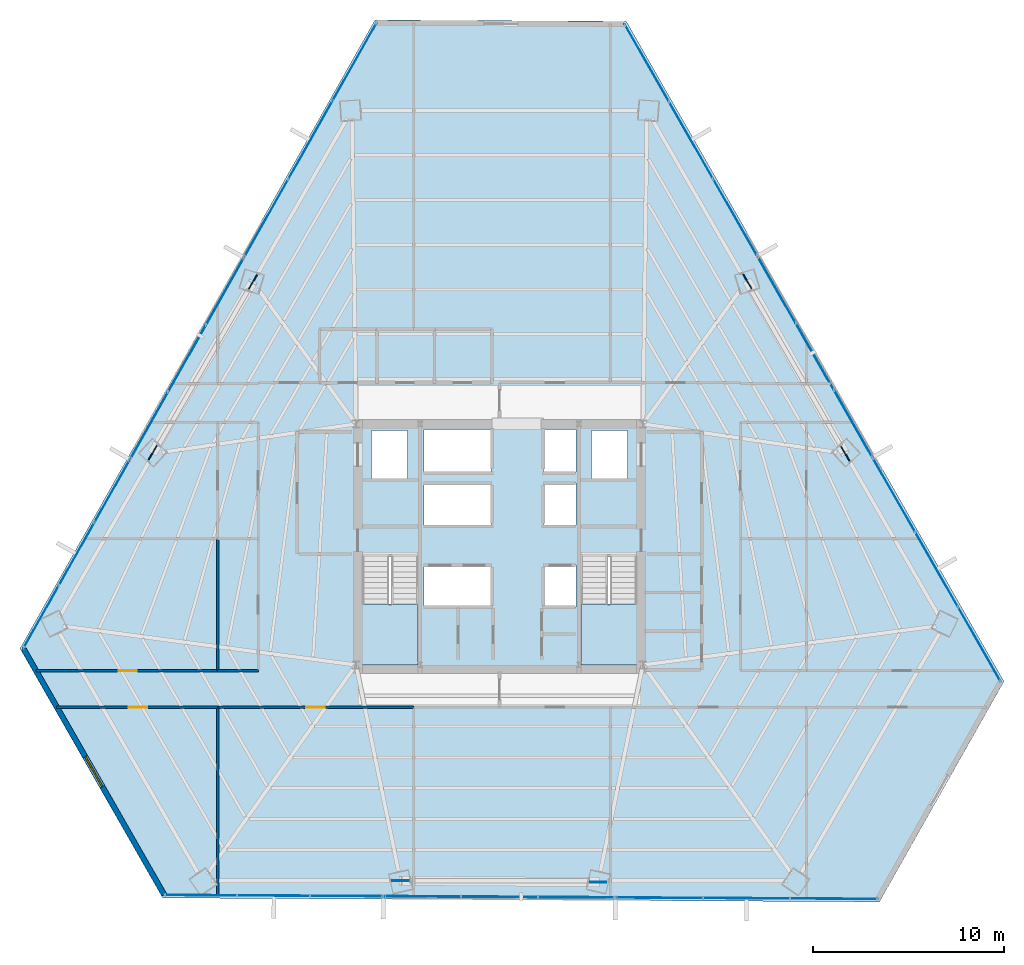
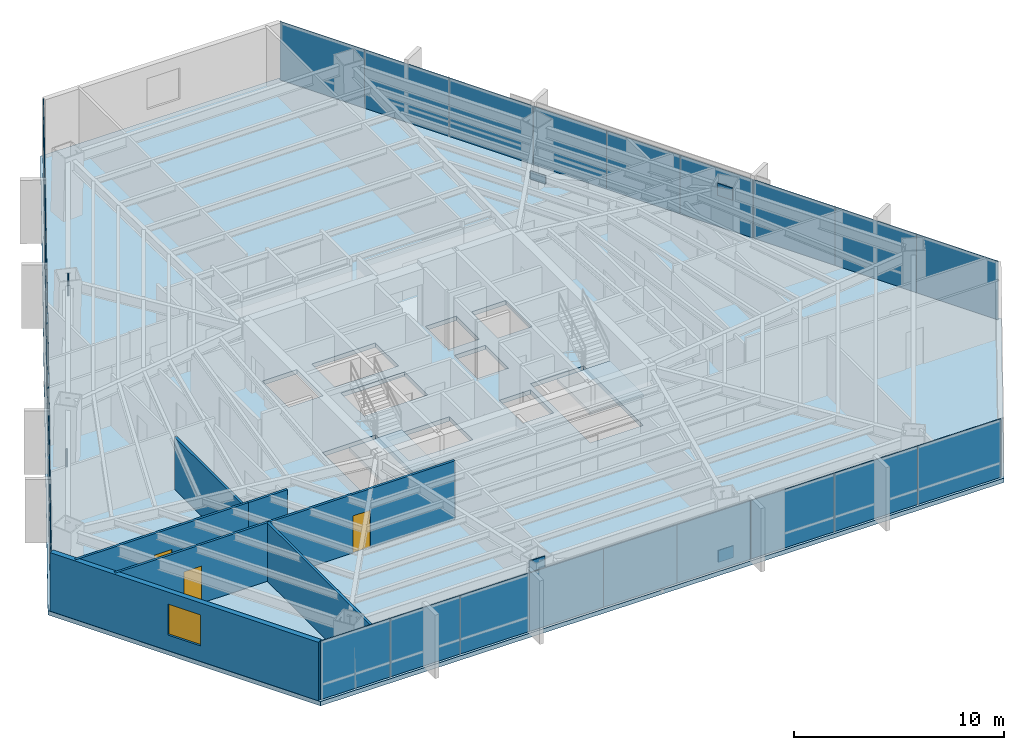
# One storey, part 29 of 35: 33 plates, 7 walls, 3 doors, 3 slabs, 1 window, 4 openings, 11 elements without a shape of their own.
"""IFC4 building model written with IfcOpenShell, lengths in metres."""

from ifc_helpers import new_model, si_unit, direction, frame, frame_2d, origin, origin_2d, place, context, subcontext, project, spatial, polyline, rectangle, outline, extrude, source, transform, mapped, material, layer, layer_set, type_object, type_shapes, element, fill, aggregate, save


model = new_model("IFC4")

# Units and contexts
model_context = context("Model", 3, precision=1e-05, world=origin(), true_north=direction((0.0, 1.0)))
body_context = subcontext(model_context, "Body", "Model", "MODEL_VIEW")
ifc_project = project(units=[si_unit("LENGTHUNIT", "METRE"), si_unit("AREAUNIT", "SQUARE_METRE"), si_unit("VOLUMEUNIT", "CUBIC_METRE"), si_unit("PLANEANGLEUNIT", "RADIAN"), si_unit("MASSUNIT", "GRAM", prefix="KILO")], contexts=[model_context])

# Site, building, storey
site_placement = place(None, origin())
site = spatial("IfcSite", under=ifc_project, at=site_placement, CompositionType="ELEMENT")
building_placement = place(site_placement, origin())
building = spatial("IfcBuilding", under=site, at=building_placement, Name="Caelisora Broadcast Tower", CompositionType="ELEMENT")
storey_placement = place(building_placement, frame((0.0, 0.0, 90.800048828125)))
storey = spatial("IfcBuildingStorey", under=building, at=storey_placement, Name="L23", CompositionType="ELEMENT", Elevation=90.800048828125)

# Slab
ifc_material_1 = material(Name="Concrete 40 MPa (AS 3600 N40)", Category="concrete")
ifc_layer_1 = layer(ifc_material_1, 0.25, Name="Concrete 40 MPa (AS 3600 N40)")
ifc_layer_set_1 = layer_set([ifc_layer_1], Name="Concrete 40 MPa (AS 3600 N40)")
slab_type_1 = type_object("IfcSlabType", Name="SL04", PredefinedType="FLOOR", material=ifc_layer_set_1)
slab_1_placement = place(storey_placement, frame((0.0, 0.0, -0.25)))
element("IfcSlab", 1, at=slab_1_placement, inside=storey, type_object=slab_type_1, Name="L23 suspended floor SL04", PredefinedType="FLOOR", context=body_context, shape_type="SweptSolid", body=[
    extrude(outline(polyline([(44.635009765625, 51.0458984375), (31.489990234375, 51.117919921875), (12.93310546875, 18.260986328125), (20.39306640625, 5.220947265625), (57.864990234375, 5.013916015625), (64.375, 16.5400390625), (44.635009765625, 51.0458984375)]), holes=[polyline([(30.820068359375, 17.39990234375), (33.739990234375, 17.39990234375), (33.739990234375, 23.080078125), (30.820068359375, 23.080078125), (30.820068359375, 17.39990234375)]), polyline([(42.260009765625, 17.39990234375), (45.179931640625, 17.39990234375), (45.179931640625, 23.080078125), (42.260009765625, 23.080078125), (42.260009765625, 17.39990234375)]), polyline([(42.800048828125, 27.14990234375), (44.699951171875, 27.14990234375), (44.699951171875, 29.64990234375), (42.800048828125, 29.64990234375), (42.800048828125, 27.14990234375)]), polyline([(40.300048828125, 20.429931640625), (42.0, 20.429931640625), (42.0, 22.6298828125), (40.300048828125, 22.6298828125), (40.300048828125, 20.429931640625)]), polyline([(40.300048828125, 24.719970703125), (42.0, 24.719970703125), (42.0, 26.919921875), (40.300048828125, 26.919921875), (40.300048828125, 24.719970703125)]), polyline([(40.300048828125, 27.5), (42.0, 27.5), (42.0, 29.699951171875), (40.300048828125, 29.699951171875), (40.300048828125, 27.5)]), polyline([(34.050048828125, 20.429931640625), (37.550048828125, 20.429931640625), (37.550048828125, 22.6298828125), (34.050048828125, 22.6298828125), (34.050048828125, 20.429931640625)]), polyline([(34.050048828125, 24.719970703125), (37.550048828125, 24.719970703125), (37.550048828125, 26.919921875), (34.050048828125, 26.919921875), (34.050048828125, 24.719970703125)]), polyline([(34.050048828125, 27.5), (37.550048828125, 27.5), (37.550048828125, 29.699951171875), (34.050048828125, 29.699951171875), (34.050048828125, 27.5)]), polyline([(31.300048828125, 27.14990234375), (33.199951171875, 27.14990234375), (33.199951171875, 29.64990234375), (31.300048828125, 29.64990234375), (31.300048828125, 27.14990234375)])]), origin(), (0.0, 0.0, 1.0), 0.25),
])

# Stair, slab
stair_type_1 = type_object("IfcStairType", Name="ST-1", PredefinedType="HALF_TURN_STAIR", material=ifc_material_1)
stair_1_placement = place(storey_placement, origin())
stair_1 = element("IfcStair", 2, at=stair_1_placement, inside=storey, type_object=stair_type_1, Name="L23 West Fire-Isolated Tower Stair", PredefinedType="HALF_TURN_STAIR")
ifc_layer_2 = layer(ifc_material_1, 0.199951171875, Name="Concrete 40 MPa (AS 3600 N40)")
ifc_layer_set_2 = layer_set([ifc_layer_2], Name="Concrete 40 MPa (AS 3600 N40)")
slab_type_2 = type_object("IfcSlabType", Name="STL-1", PredefinedType="LANDING", material=ifc_layer_set_2)
slab_2_placement = place(storey_placement, frame((0.0, 0.0, 1.625)))
slab_2 = element("IfcSlab", 3, at=slab_2_placement, type_object=slab_type_2, Name="ST-1 landing 1", PredefinedType="LANDING", context=body_context, shape_type="SweptSolid", body=[
    extrude(outline(polyline([(30.820068359375, 20.580078125), (30.820068359375, 17.39990234375), (33.739990234375, 17.39990234375), (33.739990234375, 20.580078125), (30.820068359375, 20.580078125)])), origin(), (0.0, 0.0, 1.0), 0.199951171875),
])
aggregate(stair_1, [slab_2])

stair_type_2 = type_object("IfcStairType", Name="ST-2", PredefinedType="HALF_TURN_STAIR", material=ifc_material_1)
stair_2_placement = place(storey_placement, origin())
stair_2 = element("IfcStair", 4, at=stair_2_placement, inside=storey, type_object=stair_type_2, Name="L23 East Fire-Isolated Tower Stair", PredefinedType="HALF_TURN_STAIR")
slab_3_placement = place(storey_placement, frame((0.0, 0.0, 1.625)))
slab_3 = element("IfcSlab", 5, at=slab_3_placement, type_object=slab_type_2, Name="ST-2 landing 1", PredefinedType="LANDING", context=body_context, shape_type="SweptSolid", body=[
    extrude(outline(polyline([(42.260009765625, 20.580078125), (42.260009765625, 17.39990234375), (45.179931640625, 17.39990234375), (45.179931640625, 20.580078125), (42.260009765625, 20.580078125)])), origin(), (0.0, 0.0, 1.0), 0.199951171875),
])
aggregate(stair_2, [slab_3])

# Plates
ifc_material_2 = material(Name="Steel Grade 350 L15 (AS/NZS 3678)", Category="steel")
ifc_layer_3 = layer(ifc_material_2, 0.050048828125, Name="Steel Grade 350 L15 (AS/NZS 3678)")
ifc_layer_set_3 = layer_set([ifc_layer_3], Name="Steel Grade 350 L15 (AS/NZS 3678)")
plate_type_1 = type_object("IfcPlateType", Name="GP03", PredefinedType="USERDEFINED", material=ifc_layer_set_3)
shared_shape_1 = source(origin(), body_context, "Body", "SweptSolid", [
    extrude(rectangle(XDim=0.85009765625, YDim=0.050048828125, at=origin_2d()), origin(), (0.0, 0.0, 1.0), 0.699951171875),
])
type_shapes(plate_type_1, [shared_shape_1])
for number, where, z_axis, x_axis, name in (
    (6, (25.10791015625, 37.421875, 2.72998046875), (0.0, 0.0, 1.0), (-0.5, -0.866025403784, 0.0), "L23 gusset plate GP03 (ND-L23-C02T)"),
    (7, (19.875732421875, 28.50439453125, -0.22998046875), (0.0, 0.0, 1.0), (-0.5, -0.866025403784, 0.0), "L23 gusset plate GP03 (ND-L23-C03B)"),
    (8, (32.822509765625, 6.1240234375, 2.72998046875), (0.0, 0.0, 1.0), (1.0, 0.0, 0.0), "L23 gusset plate GP03 (ND-L23-C06T)"),
    (9, (43.1611328125, 6.0517578125, -0.22998046875), (0.0, 0.0, 1.0), (1.0, 0.0, 0.0), "L23 gusset plate GP03 (ND-L23-C07B)"),
    (10, (56.069580078125, 28.4541015625, 2.72998046875), (0.0, 0.0, 1.0), (-0.5, 0.866025403784, 0.0), "L23 gusset plate GP03 (ND-L23-C10T)"),
    (11, (50.962890625, 37.44384765625, -0.22998046875), (0.0, 0.0, 1.0), (-0.5, 0.866025403784, 0.0), "L23 gusset plate GP03 (ND-L23-C11B)"),
):
    element("IfcPlate", number, at=place(storey_placement, frame(where, z_axis=z_axis, x_axis=x_axis)), inside=storey, type_object=plate_type_1, Name=name, ObjectType="GUSSET PLATE", PredefinedType="USERDEFINED", context=body_context, shape_type="MappedRepresentation", body=[
        mapped(shared_shape_1, transform((0.0, 0.0, 0.0), scale=1.0)),
    ])

# Curtain wall, plates
ifc_material_3 = material(Name="Unitised Aluminium and Low-E Glass Curtain Wall", Category="glass")
curtain_wall_type_1 = type_object("IfcCurtainWallType", Name="CW-Z2", PredefinedType="NOTDEFINED", material=ifc_material_3)
curtain_wall_1_placement = place(storey_placement, origin())
curtain_wall_1 = element("IfcCurtainWall", 12, at=curtain_wall_1_placement, inside=storey, type_object=curtain_wall_type_1, Name="L23 curtain wall CW-Z2", PredefinedType="NOTDEFINED")
ifc_material_4 = material(Name="Double Glazed Low-E Argon IGU", Category="glass")
ifc_layer_4 = layer(ifc_material_4, 0.033935546875, Name="Double Glazed Low-E Argon IGU")
ifc_layer_set_4 = layer_set([ifc_layer_4], Name="Double Glazed Low-E Argon IGU")
plate_type_2 = type_object("IfcPlateType", Name="CWP-03", PredefinedType="CURTAIN_PANEL", material=ifc_layer_set_4)
shared_shape_2 = source(origin(), body_context, "Body", "SweptSolid", [
    extrude(rectangle(XDim=4.65234375, YDim=0.033935546875, at=origin_2d()), origin(), (0.0, 0.0, 1.0), 3.39990234375),
])
plate_1_placement = place(storey_placement, frame((45.703125, 48.876953125, 0.0), z_axis=(0.0, 0.0, 1.0), x_axis=(0.496519531995, -0.868025549363, 0.0)))
plate_1 = element("IfcPlate", 13, at=plate_1_placement, type_object=plate_type_2, Name="L23-CW-B01 glazed panel #1", PredefinedType="CURTAIN_PANEL", context=body_context, shape_type="MappedRepresentation", body=[
    mapped(shared_shape_2, transform((0.0, 0.0, 0.0), scale=1.0)),
])
plate_2_placement = place(storey_placement, frame((48.01318359375, 44.838623046875, 0.0), z_axis=(0.0, 0.0, 1.0), x_axis=(0.496519531995, -0.868025549363, 0.0)))
plate_2 = element("IfcPlate", 14, at=plate_2_placement, type_object=plate_type_2, Name="L23-CW-B01 glazed panel #2", PredefinedType="CURTAIN_PANEL", context=body_context, shape_type="MappedRepresentation", body=[
    mapped(shared_shape_2, transform((0.0, 0.0, 0.0), scale=1.0)),
])
plate_3_placement = place(storey_placement, frame((50.323486328125, 40.80029296875, 0.0), z_axis=(0.0, 0.0, 1.0), x_axis=(0.496519531995, -0.868025549363, 0.0)))
plate_3 = element("IfcPlate", 15, at=plate_3_placement, type_object=plate_type_2, Name="L23-CW-B01 glazed panel #3", PredefinedType="CURTAIN_PANEL", context=body_context, shape_type="MappedRepresentation", body=[
    mapped(shared_shape_2, transform((0.0, 0.0, 0.0), scale=1.0)),
])
aggregate(curtain_wall_1, [plate_1, plate_2, plate_3])

ifc_material_5 = material(Name="Unitised Aluminium Insulated Shadow-Box Spandrel Curtain Wall", Category="aluminium")
curtain_wall_type_2 = type_object("IfcCurtainWallType", Name="CW-SP1", PredefinedType="NOTDEFINED", material=ifc_material_5)
curtain_wall_2_placement = place(storey_placement, origin())
curtain_wall_2 = element("IfcCurtainWall", 16, at=curtain_wall_2_placement, inside=storey, type_object=curtain_wall_type_2, Name="L23 curtain wall CW-SP1", PredefinedType="NOTDEFINED")
ifc_material_6 = material(Name="Insulated Terracotta Shadow-Box Spandrel Panel", Category="aluminium")
ifc_layer_5 = layer(ifc_material_6, 0.0439453125, Name="Insulated Terracotta Shadow-Box Spandrel Panel")
ifc_layer_set_5 = layer_set([ifc_layer_5], Name="Insulated Terracotta Shadow-Box Spandrel Panel")
plate_type_3 = type_object("IfcPlateType", Name="CWP-10", PredefinedType="CURTAIN_PANEL", material=ifc_layer_set_5)
shared_shape_3 = source(origin(), body_context, "Body", "SweptSolid", [
    extrude(rectangle(XDim=4.037353515625, YDim=0.0439453125, at=origin_2d()), origin(), (0.0, 0.0, 1.0), 3.39990234375),
])
type_shapes(plate_type_3, [shared_shape_3])
plate_4_placement = place(storey_placement, frame((52.48583984375, 37.0205078125, 0.0), z_axis=(0.0, 0.0, 1.0), x_axis=(0.496519531995, -0.868025549363, 0.0)))
plate_4 = element("IfcPlate", 17, at=plate_4_placement, type_object=plate_type_3, Name="L23-CW-B02 spandrel panel #1", PredefinedType="CURTAIN_PANEL", context=body_context, shape_type="MappedRepresentation", body=[
    mapped(shared_shape_3, transform((0.0, 0.0, 0.0), scale=1.0)),
])
plate_5_placement = place(storey_placement, frame((54.490478515625, 33.515869140625, 0.0), z_axis=(0.0, 0.0, 1.0), x_axis=(0.496519531995, -0.868025549363, 0.0)))
plate_5 = element("IfcPlate", 18, at=plate_5_placement, type_object=plate_type_3, Name="L23-CW-B02 spandrel panel #2", PredefinedType="CURTAIN_PANEL", context=body_context, shape_type="MappedRepresentation", body=[
    mapped(shared_shape_3, transform((0.0, 0.0, 0.0), scale=1.0)),
])
plate_6_placement = place(storey_placement, frame((56.495361328125, 30.011474609375, 0.0), z_axis=(0.0, 0.0, 1.0), x_axis=(0.496519531995, -0.868025549363, 0.0)))
plate_6 = element("IfcPlate", 19, at=plate_6_placement, type_object=plate_type_3, Name="L23-CW-B02 spandrel panel #3", PredefinedType="CURTAIN_PANEL", context=body_context, shape_type="MappedRepresentation", body=[
    mapped(shared_shape_3, transform((0.0, 0.0, 0.0), scale=1.0)),
])
aggregate(curtain_wall_2, [plate_4, plate_5, plate_6])

curtain_wall_3_placement = place(storey_placement, origin())
curtain_wall_3 = element("IfcCurtainWall", 20, at=curtain_wall_3_placement, inside=storey, type_object=curtain_wall_type_2, Name="L23 curtain wall CW-SP1", PredefinedType="NOTDEFINED")
plate_7_placement = place(storey_placement, frame((42.032958984375, 5.25146484375, 0.0), z_axis=(0.0, 0.0, 1.0), x_axis=(-0.999984403629, 0.005585024571, 0.0)))
plate_7 = element("IfcPlate", 21, at=plate_7_placement, type_object=plate_type_3, Name="L23-CW-B06 spandrel panel #1", PredefinedType="CURTAIN_PANEL", context=body_context, shape_type="MappedRepresentation", body=[
    mapped(shared_shape_3, transform((0.0, 0.0, 0.0), scale=1.0)),
])
plate_8_placement = place(storey_placement, frame((37.99560546875, 5.273681640625, 0.0), z_axis=(0.0, 0.0, 1.0), x_axis=(-0.999984403629, 0.005585024571, 0.0)))
plate_8 = element("IfcPlate", 22, at=plate_8_placement, type_object=plate_type_3, Name="L23-CW-B06 spandrel panel #2", PredefinedType="CURTAIN_PANEL", context=body_context, shape_type="MappedRepresentation", body=[
    mapped(shared_shape_3, transform((0.0, 0.0, 0.0), scale=1.0)),
])
plate_9_placement = place(storey_placement, frame((33.958251953125, 5.296142578125, 0.0), z_axis=(0.0, 0.0, 1.0), x_axis=(-0.999984403629, 0.005585024571, 0.0)))
plate_9 = element("IfcPlate", 23, at=plate_9_placement, type_object=plate_type_3, Name="L23-CW-B06 spandrel panel #3", PredefinedType="CURTAIN_PANEL", context=body_context, shape_type="MappedRepresentation", body=[
    mapped(shared_shape_3, transform((0.0, 0.0, 0.0), scale=1.0)),
])
aggregate(curtain_wall_3, [plate_7, plate_8, plate_9])

curtain_wall_4_placement = place(storey_placement, origin())
curtain_wall_4 = element("IfcCurtainWall", 24, at=curtain_wall_4_placement, inside=storey, type_object=curtain_wall_type_2, Name="L23 curtain wall CW-SP1", PredefinedType="NOTDEFINED")
plate_10_placement = place(storey_placement, frame((19.681640625, 29.904541015625, 0.0), z_axis=(0.0, 0.0, 1.0), x_axis=(0.49181581725, 0.870699260309, 0.0)))
plate_10 = element("IfcPlate", 25, at=plate_10_placement, type_object=plate_type_3, Name="L23-CW-B10 spandrel panel #1", PredefinedType="CURTAIN_PANEL", context=body_context, shape_type="MappedRepresentation", body=[
    mapped(shared_shape_3, transform((0.0, 0.0, 0.0), scale=1.0)),
])
plate_11_placement = place(storey_placement, frame((21.6669921875, 33.419921875, 0.0), z_axis=(0.0, 0.0, 1.0), x_axis=(0.49181581725, 0.870699260309, 0.0)))
plate_11 = element("IfcPlate", 26, at=plate_11_placement, type_object=plate_type_3, Name="L23-CW-B10 spandrel panel #2", PredefinedType="CURTAIN_PANEL", context=body_context, shape_type="MappedRepresentation", body=[
    mapped(shared_shape_3, transform((0.0, 0.0, 0.0), scale=1.0)),
])
plate_12_placement = place(storey_placement, frame((23.652099609375, 36.935302734375, 0.0), z_axis=(0.0, 0.0, 1.0), x_axis=(0.49181581725, 0.870699260309, 0.0)))
plate_12 = element("IfcPlate", 27, at=plate_12_placement, type_object=plate_type_3, Name="L23-CW-B10 spandrel panel #3", PredefinedType="CURTAIN_PANEL", context=body_context, shape_type="MappedRepresentation", body=[
    mapped(shared_shape_3, transform((0.0, 0.0, 0.0), scale=1.0)),
])
aggregate(curtain_wall_4, [plate_10, plate_11, plate_12])

curtain_wall_5_placement = place(storey_placement, origin())
curtain_wall_5 = element("IfcCurtainWall", 28, at=curtain_wall_5_placement, inside=storey, type_object=curtain_wall_type_1, Name="L23 curtain wall CW-Z2", PredefinedType="NOTDEFINED")
shared_shape_4 = source(origin(), body_context, "Body", "SweptSolid", [
    extrude(rectangle(XDim=4.4970703125, YDim=0.033935546875, at=origin_2d()), origin(), (0.0, 0.0, 1.0), 3.39990234375),
])
plate_13_placement = place(storey_placement, frame((58.619384765625, 26.298583984375, 0.0), z_axis=(0.0, 0.0, 1.0), x_axis=(0.496519531995, -0.868025549363, 0.0)))
plate_13 = element("IfcPlate", 29, at=plate_13_placement, type_object=plate_type_2, Name="L23-CW-B03 glazed panel #1", PredefinedType="CURTAIN_PANEL", context=body_context, shape_type="MappedRepresentation", body=[
    mapped(shared_shape_4, transform((0.0, 0.0, 0.0), scale=1.0)),
])
plate_14_placement = place(storey_placement, frame((60.852294921875, 22.395263671875, 0.0), z_axis=(0.0, 0.0, 1.0), x_axis=(0.496519531995, -0.868025549363, 0.0)))
plate_14 = element("IfcPlate", 30, at=plate_14_placement, type_object=plate_type_2, Name="L23-CW-B03 glazed panel #2", PredefinedType="CURTAIN_PANEL", context=body_context, shape_type="MappedRepresentation", body=[
    mapped(shared_shape_4, transform((0.0, 0.0, 0.0), scale=1.0)),
])
plate_15_placement = place(storey_placement, frame((63.08544921875, 18.49169921875, 0.0), z_axis=(0.0, 0.0, 1.0), x_axis=(0.496519531995, -0.868025549363, 0.0)))
plate_15 = element("IfcPlate", 31, at=plate_15_placement, type_object=plate_type_2, Name="L23-CW-B03 glazed panel #3", PredefinedType="CURTAIN_PANEL", context=body_context, shape_type="MappedRepresentation", body=[
    mapped(shared_shape_4, transform((0.0, 0.0, 0.0), scale=1.0)),
])
aggregate(curtain_wall_5, [plate_13, plate_14, plate_15])

curtain_wall_6_placement = place(storey_placement, origin())
curtain_wall_6 = element("IfcCurtainWall", 32, at=curtain_wall_6_placement, inside=storey, type_object=curtain_wall_type_1, Name="L23 curtain wall CW-Z2", PredefinedType="NOTDEFINED")
shared_shape_5 = source(origin(), body_context, "Body", "SweptSolid", [
    extrude(rectangle(XDim=4.572265625, YDim=0.033935546875, at=origin_2d()), origin(), (0.0, 0.0, 1.0), 3.39990234375),
])
plate_16_placement = place(storey_placement, frame((55.491943359375, 5.1767578125, 0.0), z_axis=(0.0, 0.0, 1.0), x_axis=(-0.999984403629, 0.005585024571, 0.0)))
plate_16 = element("IfcPlate", 33, at=plate_16_placement, type_object=plate_type_2, Name="L23-CW-B05 glazed panel #1", PredefinedType="CURTAIN_PANEL", context=body_context, shape_type="MappedRepresentation", body=[
    mapped(shared_shape_5, transform((0.0, 0.0, 0.0), scale=1.0)),
])
plate_17_placement = place(storey_placement, frame((50.919921875, 5.2021484375, 0.0), z_axis=(0.0, 0.0, 1.0), x_axis=(-0.999984403629, 0.005585024571, 0.0)))
plate_17 = element("IfcPlate", 34, at=plate_17_placement, type_object=plate_type_2, Name="L23-CW-B05 glazed panel #2", PredefinedType="CURTAIN_PANEL", context=body_context, shape_type="MappedRepresentation", body=[
    mapped(shared_shape_5, transform((0.0, 0.0, 0.0), scale=1.0)),
])
plate_18_placement = place(storey_placement, frame((46.347900390625, 5.227294921875, 0.0), z_axis=(0.0, 0.0, 1.0), x_axis=(-0.999984403629, 0.005585024571, 0.0)))
plate_18 = element("IfcPlate", 35, at=plate_18_placement, type_object=plate_type_2, Name="L23-CW-B05 glazed panel #3", PredefinedType="CURTAIN_PANEL", context=body_context, shape_type="MappedRepresentation", body=[
    mapped(shared_shape_5, transform((0.0, 0.0, 0.0), scale=1.0)),
])
aggregate(curtain_wall_6, [plate_16, plate_17, plate_18])

curtain_wall_7_placement = place(storey_placement, origin())
curtain_wall_7 = element("IfcCurtainWall", 36, at=curtain_wall_7_placement, inside=storey, type_object=curtain_wall_type_1, Name="L23 curtain wall CW-Z2", PredefinedType="NOTDEFINED")
shared_shape_6 = source(origin(), body_context, "Body", "SweptSolid", [
    extrude(rectangle(XDim=3.816650390625, YDim=0.033935546875, at=origin_2d()), origin(), (0.0, 0.0, 1.0), 3.39990234375),
])
plate_19_placement = place(storey_placement, frame((30.021484375, 5.318115234375, 0.0), z_axis=(0.0, 0.0, 1.0), x_axis=(-0.999984403629, 0.005585024571, 0.0)))
plate_19 = element("IfcPlate", 37, at=plate_19_placement, type_object=plate_type_2, Name="L23-CW-B07 glazed panel #1", PredefinedType="CURTAIN_PANEL", context=body_context, shape_type="MappedRepresentation", body=[
    mapped(shared_shape_6, transform((0.0, 0.0, 0.0), scale=1.0)),
])
plate_20_placement = place(storey_placement, frame((26.204833984375, 5.339111328125, 0.0), z_axis=(0.0, 0.0, 1.0), x_axis=(-0.999984403629, 0.005585024571, 0.0)))
plate_20 = element("IfcPlate", 38, at=plate_20_placement, type_object=plate_type_2, Name="L23-CW-B07 glazed panel #2", PredefinedType="CURTAIN_PANEL", context=body_context, shape_type="MappedRepresentation", body=[
    mapped(shared_shape_6, transform((0.0, 0.0, 0.0), scale=1.0)),
])
plate_21_placement = place(storey_placement, frame((22.38818359375, 5.3603515625, 0.0), z_axis=(0.0, 0.0, 1.0), x_axis=(-0.999984403629, 0.005585024571, 0.0)))
plate_21 = element("IfcPlate", 39, at=plate_21_placement, type_object=plate_type_2, Name="L23-CW-B07 glazed panel #3", PredefinedType="CURTAIN_PANEL", context=body_context, shape_type="MappedRepresentation", body=[
    mapped(shared_shape_6, transform((0.0, 0.0, 0.0), scale=1.0)),
])
aggregate(curtain_wall_7, [plate_19, plate_20, plate_21])

curtain_wall_8_placement = place(storey_placement, origin())
curtain_wall_8 = element("IfcCurtainWall", 40, at=curtain_wall_8_placement, inside=storey, type_object=curtain_wall_type_1, Name="L23 curtain wall CW-Z2", PredefinedType="NOTDEFINED")
shared_shape_7 = source(origin(), body_context, "Body", "SweptSolid", [
    extrude(rectangle(XDim=3.781005859375, YDim=0.033935546875, at=origin_2d()), origin(), (0.0, 0.0, 1.0), 3.39990234375),
])
plate_22_placement = place(storey_placement, frame((14.03564453125, 19.9072265625, 0.0), z_axis=(0.0, 0.0, 1.0), x_axis=(0.49181581725, 0.870699260309, 0.0)))
plate_22 = element("IfcPlate", 41, at=plate_22_placement, type_object=plate_type_2, Name="L23-CW-B09 glazed panel #1", PredefinedType="CURTAIN_PANEL", context=body_context, shape_type="MappedRepresentation", body=[
    mapped(shared_shape_7, transform((0.0, 0.0, 0.0), scale=1.0)),
])
plate_23_placement = place(storey_placement, frame((15.89501953125, 23.19970703125, 0.0), z_axis=(0.0, 0.0, 1.0), x_axis=(0.49181581725, 0.870699260309, 0.0)))
plate_23 = element("IfcPlate", 42, at=plate_23_placement, type_object=plate_type_2, Name="L23-CW-B09 glazed panel #2", PredefinedType="CURTAIN_PANEL", context=body_context, shape_type="MappedRepresentation", body=[
    mapped(shared_shape_7, transform((0.0, 0.0, 0.0), scale=1.0)),
])
plate_24_placement = place(storey_placement, frame((17.75439453125, 26.491943359375, 0.0), z_axis=(0.0, 0.0, 1.0), x_axis=(0.49181581725, 0.870699260309, 0.0)))
plate_24 = element("IfcPlate", 43, at=plate_24_placement, type_object=plate_type_2, Name="L23-CW-B09 glazed panel #3", PredefinedType="CURTAIN_PANEL", context=body_context, shape_type="MappedRepresentation", body=[
    mapped(shared_shape_7, transform((0.0, 0.0, 0.0), scale=1.0)),
])
aggregate(curtain_wall_8, [plate_22, plate_23, plate_24])

curtain_wall_9_placement = place(storey_placement, origin())
curtain_wall_9 = element("IfcCurtainWall", 44, at=curtain_wall_9_placement, inside=storey, type_object=curtain_wall_type_1, Name="L23 curtain wall CW-Z2", PredefinedType="NOTDEFINED")
shared_shape_8 = source(origin(), body_context, "Body", "SweptSolid", [
    extrude(rectangle(XDim=4.69580078125, YDim=0.033935546875, at=origin_2d()), origin(), (0.0, 0.0, 1.0), 3.39990234375),
])
type_shapes(plate_type_2, [shared_shape_2, shared_shape_4, shared_shape_5, shared_shape_6, shared_shape_7, shared_shape_8])
plate_25_placement = place(storey_placement, frame((25.80419921875, 40.74609375, 0.0), z_axis=(0.0, 0.0, 1.0), x_axis=(0.49181581725, 0.870699260309, 0.0)))
plate_25 = element("IfcPlate", 45, at=plate_25_placement, type_object=plate_type_2, Name="L23-CW-B11 glazed panel #1", PredefinedType="CURTAIN_PANEL", context=body_context, shape_type="MappedRepresentation", body=[
    mapped(shared_shape_8, transform((0.0, 0.0, 0.0), scale=1.0)),
])
plate_26_placement = place(storey_placement, frame((28.11328125, 44.8349609375, 0.0), z_axis=(0.0, 0.0, 1.0), x_axis=(0.49181581725, 0.870699260309, 0.0)))
plate_26 = element("IfcPlate", 46, at=plate_26_placement, type_object=plate_type_2, Name="L23-CW-B11 glazed panel #2", PredefinedType="CURTAIN_PANEL", context=body_context, shape_type="MappedRepresentation", body=[
    mapped(shared_shape_8, transform((0.0, 0.0, 0.0), scale=1.0)),
])
plate_27_placement = place(storey_placement, frame((30.422607421875, 48.923583984375, 0.0), z_axis=(0.0, 0.0, 1.0), x_axis=(0.49181581725, 0.870699260309, 0.0)))
plate_27 = element("IfcPlate", 47, at=plate_27_placement, type_object=plate_type_2, Name="L23-CW-B11 glazed panel #3", PredefinedType="CURTAIN_PANEL", context=body_context, shape_type="MappedRepresentation", body=[
    mapped(shared_shape_8, transform((0.0, 0.0, 0.0), scale=1.0)),
])
aggregate(curtain_wall_9, [plate_25, plate_26, plate_27])

# Wall, opening, window
ifc_material_7 = material(Name="Insulated Terracotta Spandrel Wall System", Category="masonry")
ifc_layer_6 = layer(ifc_material_7, 0.280029296875, Name="Insulated Terracotta Spandrel Wall System")
ifc_layer_set_6 = layer_set([ifc_layer_6], Name="Insulated Terracotta Spandrel Wall System")
wall_type_1 = type_object("IfcWallType", Name="EW1", PredefinedType="STANDARD", material=ifc_layer_set_6)
wall_1_placement = place(storey_placement, frame((20.465087890625, 5.39697265625, 0.0), z_axis=(0.0, 0.0, 1.0), x_axis=(-0.49655485051, 0.868005345856, 0.0)))
wall_1 = element("IfcWall", 48, at=wall_1_placement, inside=storey, type_object=wall_type_1, Name="L23 exterior envelope wall EW1", PredefinedType="STANDARD", context=body_context, shape_type="SweptSolid", body=[
    extrude(rectangle(XDim=14.790283203125, YDim=0.280029296875, at=frame_2d((7.39501953125, 0.0))), origin(), (0.0, 0.0, 1.0), 3.39990234375),
])
opening_1_placement = place(wall_1_placement, frame((6.5, 0.0, 0.89990234375)))
opening_1 = element("IfcOpeningElement", 49, at=opening_1_placement, cuts=wall_1, Name="Opening W01", PredefinedType="OPENING", context=body_context, shape_type="SweptSolid", body=[
    extrude(rectangle(XDim=1.800048828125, YDim=1.800048828125, at=frame_2d((0.89990234375, 0.89990234375))), frame((0.0, 0.152099609375, 0.0), z_axis=(0.0, -1.0, 0.0), x_axis=(1.0, 0.0, 0.0)), (0.0, 0.0, 1.0), 0.303955078125),
])
ifc_material_8 = material(Name="Double Glazed Terracotta-Framed Vision Window", Category="glass")
window_type = type_object("IfcWindowType", Name="W01", PartitioningType="SINGLE_PANEL", PredefinedType="WINDOW", material=ifc_material_8)
window_placement = place(opening_1_placement, origin())
window = element("IfcWindow", 50, at=window_placement, inside=storey, type_object=window_type, Name="L23 window W01 (L23-WN-CH4)", OverallHeight=1.800048828125, OverallWidth=1.800048828125, PartitioningType="SINGLE_PANEL", PredefinedType="WINDOW", context=body_context, shape_type="SweptSolid", body=[
    extrude(rectangle(XDim=1.800048828125, YDim=1.800048828125, at=frame_2d((0.89990234375, 0.89990234375))), frame((0.0, 0.030029296875, 0.0), z_axis=(0.0, -1.0, 0.0), x_axis=(1.0, 0.0, 0.0)), (0.0, 0.0, 1.0), 0.06005859375),
])
fill(opening_1, window)

# Wall, opening, door
ifc_material_9 = material(Name="Acoustic Steel-Stud Plasterboard Partition", Category="gypsum")
ifc_layer_7 = layer(ifc_material_9, 0.1298828125, Name="Acoustic Steel-Stud Plasterboard Partition")
ifc_layer_set_7 = layer_set([ifc_layer_7], Name="Acoustic Steel-Stud Plasterboard Partition")
wall_type_2 = type_object("IfcWallType", Name="PW3", PredefinedType="PARTITIONING", material=ifc_layer_set_7)
wall_2_placement = place(storey_placement, frame((23.264892578125, 15.199951171875, 0.0), z_axis=(0.0, 0.0, 1.0), x_axis=(1.0, 0.0, 0.0)))
wall_2 = element("IfcWall", 51, at=wall_2_placement, inside=storey, type_object=wall_type_2, Name="L23 internal partition PW3", PredefinedType="PARTITIONING", context=body_context, shape_type="SweptSolid", body=[
    extrude(rectangle(XDim=10.25, YDim=0.1298828125, at=frame_2d((5.125, 0.0))), origin(), (0.0, 0.0, 1.0), 3.39990234375),
])
opening_2_placement = place(wall_2_placement, frame((4.64501953125, 0.0, 0.0)))
opening_2 = element("IfcOpeningElement", 52, at=opening_2_placement, cuts=wall_2, Name="Opening D01", PredefinedType="OPENING", context=body_context, shape_type="SweptSolid", body=[
    extrude(rectangle(XDim=0.9599609375, YDim=2.14990234375, at=frame_2d((0.47998046875, 1.074951171875))), frame((0.0, 0.076904296875, 0.0), z_axis=(0.0, -1.0, 0.0), x_axis=(1.0, 0.0, 0.0)), (0.0, 0.0, 1.0), 0.15380859375),
])
ifc_material_10 = material(Name="Solid-Core Timber Acoustic Office Door", Category="wood")
door_type = type_object("IfcDoorType", Name="D01", OperationType="NOTDEFINED", PredefinedType="DOOR", material=ifc_material_10)
door_1_placement = place(opening_2_placement, origin())
door_1 = element("IfcDoor", 53, at=door_1_placement, inside=storey, type_object=door_type, Name="L23 door D01 (L23-DR-P32D1)", OperationType="SINGLE_SWING_RIGHT", OverallHeight=2.14990234375, OverallWidth=0.9599609375, PredefinedType="DOOR", context=body_context, shape_type="SweptSolid", body=[
    extrude(rectangle(XDim=0.9599609375, YDim=2.14990234375, at=frame_2d((0.47998046875, 1.074951171875))), frame((0.0, 0.02490234375, 0.0), z_axis=(0.0, -1.0, 0.0), x_axis=(1.0, 0.0, 0.0)), (0.0, 0.0, 1.0), 0.050048828125),
])
fill(opening_2, door_1)

# Wall
wall_3_placement = place(storey_placement, frame((23.260009765625, 5.35009765625, 0.0), z_axis=(0.0, 0.0, 1.0), x_axis=(0.0, 1.0, 0.0)))
element("IfcWall", 54, at=wall_3_placement, inside=storey, type_object=wall_type_2, Name="L23 internal partition PW3", PredefinedType="PARTITIONING", context=body_context, shape_type="SweptSolid", body=[
    extrude(rectangle(XDim=9.844970703125, YDim=0.1298828125, at=frame_2d((4.92236328125, 0.0))), origin(), (0.0, 0.0, 1.0), 3.39990234375),
])

# Wall, opening, door
wall_4_placement = place(storey_placement, frame((13.76416015625, 17.10009765625, 0.0), z_axis=(0.0, 0.0, 1.0), x_axis=(1.0, 0.0, 0.0)))
wall_4 = element("IfcWall", 55, at=wall_4_placement, inside=storey, type_object=wall_type_2, Name="L23 internal partition PW3", PredefinedType="PARTITIONING", context=body_context, shape_type="SweptSolid", body=[
    extrude(rectangle(XDim=9.49072265625, YDim=0.1298828125, at=frame_2d((4.745361328125, 0.0))), origin(), (0.0, 0.0, 1.0), 3.39990234375),
])
opening_3_placement = place(wall_4_placement, frame((4.322021484375, 0.0, 0.0)))
opening_3 = element("IfcOpeningElement", 56, at=opening_3_placement, cuts=wall_4, Name="Opening D01", PredefinedType="OPENING", context=body_context, shape_type="SweptSolid", body=[
    extrude(rectangle(XDim=0.9599609375, YDim=2.14990234375, at=frame_2d((0.47998046875, 1.074951171875))), frame((0.0, 0.076904296875, 0.0), z_axis=(0.0, -1.0, 0.0), x_axis=(1.0, 0.0, 0.0)), (0.0, 0.0, 1.0), 0.15380859375),
])
door_2_placement = place(opening_3_placement, origin())
door_2 = element("IfcDoor", 57, at=door_2_placement, inside=storey, type_object=door_type, Name="L23 door D01 (L23-DR-P39D1)", OperationType="SINGLE_SWING_LEFT", OverallHeight=2.14990234375, OverallWidth=0.9599609375, PredefinedType="DOOR", context=body_context, shape_type="SweptSolid", body=[
    extrude(rectangle(XDim=0.9599609375, YDim=2.14990234375, at=frame_2d((0.47998046875, 1.074951171875))), frame((0.0, 0.02490234375, 0.0), z_axis=(0.0, -1.0, 0.0), x_axis=(1.0, 0.0, 0.0)), (0.0, 0.0, 1.0), 0.050048828125),
])
fill(opening_3, door_2)

wall_5_placement = place(storey_placement, frame((14.851318359375, 15.199951171875, 0.0), z_axis=(0.0, 0.0, 1.0), x_axis=(1.0, 0.0, 0.0)))
wall_5 = element("IfcWall", 58, at=wall_5_placement, inside=storey, type_object=wall_type_2, Name="L23 internal partition PW3", PredefinedType="PARTITIONING", context=body_context, shape_type="SweptSolid", body=[
    extrude(rectangle(XDim=8.403564453125, YDim=0.1298828125, at=frame_2d((4.20166015625, 0.0))), origin(), (0.0, 0.0, 1.0), 3.39990234375),
])
opening_4_placement = place(wall_5_placement, frame((3.777099609375, 0.0, 0.0)))
opening_4 = element("IfcOpeningElement", 59, at=opening_4_placement, cuts=wall_5, Name="Opening D01", PredefinedType="OPENING", context=body_context, shape_type="SweptSolid", body=[
    extrude(rectangle(XDim=0.9599609375, YDim=2.14990234375, at=frame_2d((0.47998046875, 1.074951171875))), frame((0.0, 0.076904296875, 0.0), z_axis=(0.0, -1.0, 0.0), x_axis=(1.0, 0.0, 0.0)), (0.0, 0.0, 1.0), 0.15380859375),
])
door_3_placement = place(opening_4_placement, origin())
door_3 = element("IfcDoor", 60, at=door_3_placement, inside=storey, type_object=door_type, Name="L23 door D01 (L23-DR-P41D1)", OperationType="SINGLE_SWING_LEFT", OverallHeight=2.14990234375, OverallWidth=0.9599609375, PredefinedType="DOOR", context=body_context, shape_type="SweptSolid", body=[
    extrude(rectangle(XDim=0.9599609375, YDim=2.14990234375, at=frame_2d((0.47998046875, 1.074951171875))), frame((0.0, 0.02490234375, 0.0), z_axis=(0.0, -1.0, 0.0), x_axis=(1.0, 0.0, 0.0)), (0.0, 0.0, 1.0), 0.050048828125),
])
fill(opening_4, door_3)

# Walls
wall_6_placement = place(storey_placement, frame((23.260009765625, 17.10498046875, 0.0), z_axis=(0.0, 0.0, 1.0), x_axis=(0.0, 1.0, 0.0)))
element("IfcWall", 61, at=wall_6_placement, inside=storey, type_object=wall_type_2, Name="L23 internal partition PW3", PredefinedType="PARTITIONING", context=body_context, shape_type="SweptSolid", body=[
    extrude(rectangle(XDim=6.89013671875, YDim=0.1298828125, at=frame_2d((3.445068359375, 0.0))), origin(), (0.0, 0.0, 1.0), 3.0263671875),
])
wall_7_placement = place(storey_placement, frame((23.264892578125, 17.10009765625, 0.0), z_axis=(0.0, 0.0, 1.0), x_axis=(1.0, 0.0, 0.0)))
element("IfcWall", 62, at=wall_7_placement, inside=storey, type_object=wall_type_2, Name="L23 internal partition PW3", PredefinedType="PARTITIONING", context=body_context, shape_type="SweptSolid", body=[
    extrude(rectangle(XDim=2.130126953125, YDim=0.1298828125, at=frame_2d((1.06494140625, 0.0))), origin(), (0.0, 0.0, 1.0), 3.39990234375),
])

save(model, "model.ifc")
